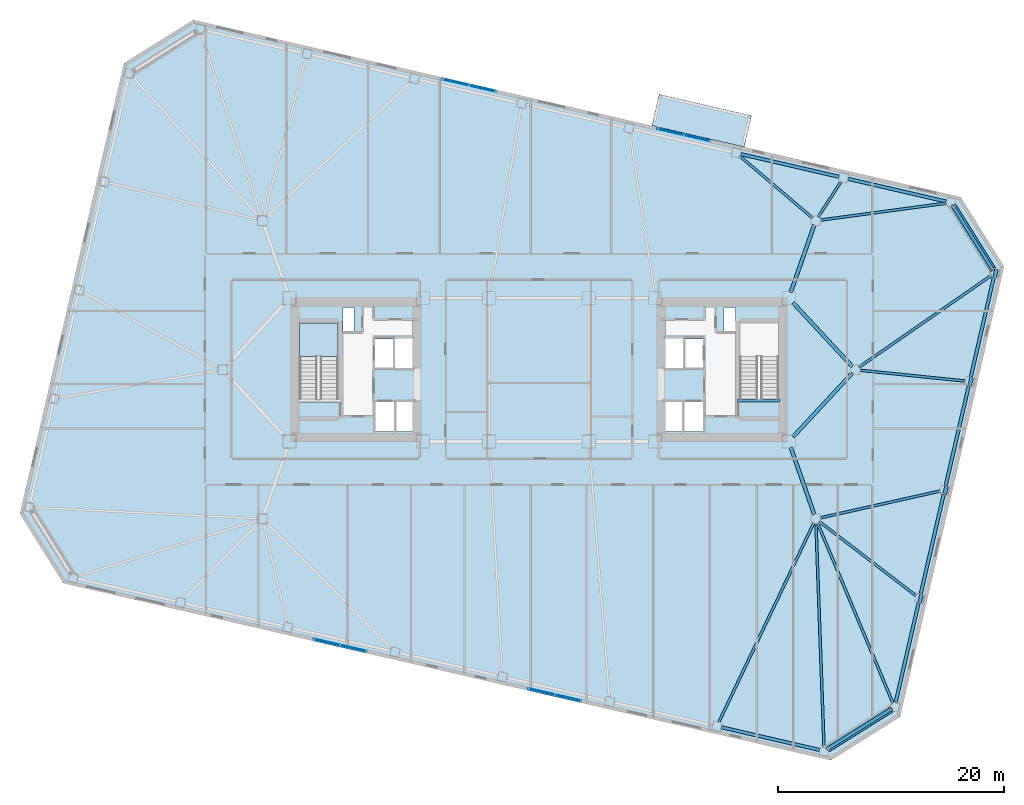
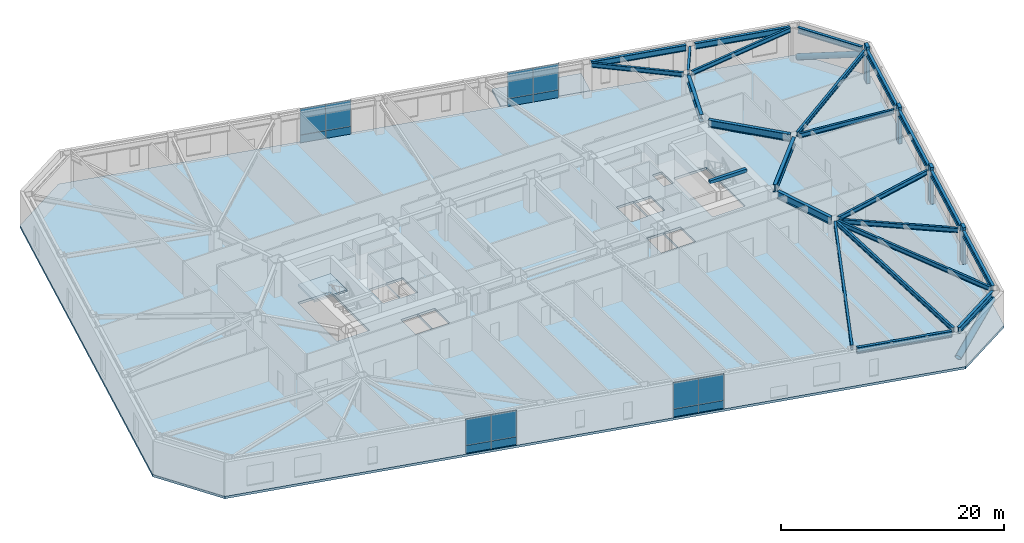
# One storey, part 8 of 19: 24 beams, 16 plates, 6 members, 3 slabs, 5 elements without a shape of their own.
"""IFC4 building model written with IfcOpenShell, lengths in metres."""

import ifcopenshell
import ifcopenshell.guid

model = None  # the IFC model being written
_history = None  # IfcOwnerHistory: only IFC2X3 demands one
_inside = {}  # id of a spatial element -> (the spatial element, [elements in it])
_under = {}  # id of a project, library or spatial element -> (it, [spatial elements below it])
_declared = {}  # id of a project -> (the project, [libraries it declares])
_typed = {}  # id of a type object -> (the type object, [elements of that type])
_made_of = {}  # id of a material, layer set ... -> (it, [elements and type objects made of it])


def new_model(schema):
    """Start an empty IFC model of exactly this schema.

    Asked for "IFC4X3", IfcOpenShell would pick the latest addendum, in which some entities
    have other attributes; the version numbers below select the first issue.
    IFC2X3 requires an IfcOwnerHistory on every rooted entity: one is made here for all.
    """
    global model, _history
    if schema == "IFC4X3":
        model = ifcopenshell.file(schema_version=(4, 3, 0, 0))
    else:
        model = ifcopenshell.file(schema=schema)
    _inside.clear()
    _under.clear()
    _declared.clear()
    _typed.clear()
    _made_of.clear()
    _history = None
    if model.schema == "IFC2X3":
        org = make("IfcOrganization", Name="unknown")
        user = make(
            "IfcPersonAndOrganization",
            ThePerson=make("IfcPerson", FamilyName="unknown"),
            TheOrganization=org,
        )
        app = make(
            "IfcApplication",
            ApplicationDeveloper=org,
            Version="unknown",
            ApplicationFullName="unknown",
            ApplicationIdentifier="unknown",
        )
        _history = make(
            "IfcOwnerHistory",
            OwningUser=user,
            OwningApplication=app,
            ChangeAction="ADDED",
            CreationDate=0,
        )
    return model


def make(cls, **values):
    """One entity of the class cls with the attributes given. An attribute that is None is left unset."""
    return model.create_entity(
        cls, **{name: value for name, value in values.items() if value is not None}
    )


def rooted(cls, **values):
    """An entity with a GlobalId (a new one), such as an element, a storey or a relation."""
    return make(cls, GlobalId=ifcopenshell.guid.new(), OwnerHistory=_history, **values)


def si_unit(unit_type, name, prefix=None):
    """IfcSIUnit, for example si_unit("LENGTHUNIT", "METRE", prefix="MILLI")."""
    return make("IfcSIUnit", UnitType=unit_type, Prefix=prefix, Name=name)


def assignment(units):
    """IfcUnitAssignment: the units of a project."""
    return None if units is None else make("IfcUnitAssignment", Units=units)


def point(xyz):
    """IfcCartesianPoint."""
    return None if xyz is None else make("IfcCartesianPoint", Coordinates=xyz)


def direction(xyz):
    """IfcDirection."""
    return None if xyz is None else make("IfcDirection", DirectionRatios=xyz)


def frame(location, z_axis=None, x_axis=None):
    """IfcAxis2Placement3D, a coordinate frame: its origin and axes. An axis left out is left unset."""
    return make(
        "IfcAxis2Placement3D",
        Location=point(location),
        Axis=direction(z_axis),
        RefDirection=direction(x_axis),
    )


def frame_2d(location, x_axis=None):
    """IfcAxis2Placement2D, a coordinate frame in the plane: its origin and x axis."""
    return make(
        "IfcAxis2Placement2D", Location=point(location), RefDirection=direction(x_axis)
    )


def origin():
    """The frame at (0, 0, 0) with its axes left unset."""
    return frame((0.0, 0.0, 0.0))


def origin_2d():
    """The frame at (0, 0) in the plane with its x axis left unset."""
    return frame_2d((0.0, 0.0))


def place(relative_to, where):
    """IfcLocalPlacement: puts the frame where relative to a parent placement (None: the world)."""
    return make(
        "IfcLocalPlacement", PlacementRelTo=relative_to, RelativePlacement=where
    )


def context(
    kind, dimensions, precision=None, world=None, true_north=None, identifier=None
):
    """IfcGeometricRepresentationContext, for example the 3D "Model" context."""
    return make(
        "IfcGeometricRepresentationContext",
        ContextIdentifier=identifier,
        ContextType=kind,
        CoordinateSpaceDimension=dimensions,
        Precision=precision,
        WorldCoordinateSystem=world,
        TrueNorth=true_north,
    )


def subcontext(parent, identifier, kind, view, scale=None):
    """IfcGeometricRepresentationSubContext, for example "Body" below "Model"."""
    return make(
        "IfcGeometricRepresentationSubContext",
        ContextIdentifier=identifier,
        ContextType=kind,
        ParentContext=parent,
        TargetScale=scale,
        TargetView=view,
    )


def project(units=None, contexts=None):
    """IfcProject with its units and contexts."""
    return rooted(
        "IfcProject",
        Name="project",
        RepresentationContexts=contexts,
        UnitsInContext=assignment(units),
    )


def spatial(cls, under=None, at=None, **own):
    """A site, building, storey or space (cls), placed at a placement, below another one or the project."""
    s = rooted(cls, ObjectPlacement=at, **own)
    if under is not None:
        _under.setdefault(under.id(), (under, []))[1].append(s)
    return s


def polyline(points):
    """IfcPolyline through the points."""
    return make("IfcPolyline", Points=[point(p) for p in points])


def profile(cls, at=None, kind="AREA", **sizes):
    """A parametric profile (cls). Its sizes go by their IFC names, for example OverallWidth=200.0."""
    return make(cls, ProfileType=kind, Position=at, **sizes)


def rectangle(**sizes):
    """IfcRectangleProfileDef."""
    return profile("IfcRectangleProfileDef", **sizes)


def hollow_circle(**sizes):
    """IfcCircleHollowProfileDef."""
    return profile("IfcCircleHollowProfileDef", **sizes)


def i_section(**sizes):
    """IfcIShapeProfileDef."""
    return profile("IfcIShapeProfileDef", **sizes)


def outline(outer, holes=None, kind="AREA"):
    """IfcArbitraryClosedProfileDef: a profile drawn as a closed curve; with holes, ...WithVoids."""
    if holes is None:
        return make("IfcArbitraryClosedProfileDef", ProfileType=kind, OuterCurve=outer)
    return make(
        "IfcArbitraryProfileDefWithVoids",
        ProfileType=kind,
        OuterCurve=outer,
        InnerCurves=holes,
    )


def extrude(swept, where, along, depth):
    """IfcExtrudedAreaSolid: the profile swept, set in the frame where, extruded along a direction by depth."""
    return make(
        "IfcExtrudedAreaSolid",
        SweptArea=swept,
        Position=where,
        ExtrudedDirection=direction(along),
        Depth=depth,
    )


def shape(context_of_items, identifier, shape_type, items):
    """IfcShapeRepresentation: the items that make up one representation, for example the "Body"."""
    return make(
        "IfcShapeRepresentation",
        ContextOfItems=context_of_items,
        RepresentationIdentifier=identifier,
        RepresentationType=shape_type,
        Items=items,
    )


def material(Name=None, Category=None):
    """IfcMaterial."""
    return make("IfcMaterial", Name=Name, Category=Category)


def layer(
    of_material, thickness, ventilated=None, Name=None, Category=None, Priority=None
):
    """IfcMaterialLayer: one layer of a wall or slab, of a material (None: an air gap)."""
    return make(
        "IfcMaterialLayer",
        Material=of_material,
        LayerThickness=thickness,
        IsVentilated=ventilated,
        Name=Name,
        Category=Category,
        Priority=Priority,
    )


def layer_set(layers, Name=None):
    """IfcMaterialLayerSet."""
    return make("IfcMaterialLayerSet", MaterialLayers=layers, LayerSetName=Name)


def material_profile(
    of_material, cross_section, Name=None, Category=None, Priority=None
):
    """IfcMaterialProfile: a cross section and its material."""
    return make(
        "IfcMaterialProfile",
        Name=Name,
        Material=of_material,
        Profile=cross_section,
        Priority=Priority,
        Category=Category,
    )


def profile_set(profiles, Name=None, composite=None):
    """IfcMaterialProfileSet."""
    return make(
        "IfcMaterialProfileSet",
        Name=Name,
        MaterialProfiles=profiles,
        CompositeProfile=composite,
    )


def made_of(thing, what):
    """Note that an element or type object is made of a material, layer set ...; save() writes the relation."""
    if what is not None:
        _made_of.setdefault(what.id(), (what, []))[1].append(thing)
    return thing


def type_object(cls, material=None, **own):
    """A type object (cls), such as IfcWallType, which elements share."""
    return made_of(rooted(cls, **own), material)


def element(
    cls,
    number,
    at=None,
    inside=None,
    cuts=None,
    type_object=None,
    material=None,
    context=None,
    identifier="Body",
    shape_type=None,
    held_by="IfcProductDefinitionShape",
    body=None,
    shapes=None,
    **own,
):
    """One element of the class cls, such as IfcWall. Its Tag is "e" and its number.

    at: its placement. inside: the storey or other place that contains it. cuts: it is an
    opening in that element (IfcRelVoidsElement). A single representation is given by context,
    identifier, shape_type and body (its items); several are given by shapes. held_by: the class
    of the entity that holds the representations. save() writes the other relations.
    """
    e = rooted(cls, Tag="e%d" % number, ObjectPlacement=at, **own)
    if body is not None:
        shapes = [shape(context, identifier, shape_type, body)]
    if shapes is not None:
        e.Representation = make(held_by, Representations=shapes)
    if inside is not None:
        _inside.setdefault(inside.id(), (inside, []))[1].append(e)
    if cuts is not None:
        rooted(
            "IfcRelVoidsElement", RelatingBuildingElement=cuts, RelatedOpeningElement=e
        )
    if type_object is not None:
        _typed.setdefault(type_object.id(), (type_object, []))[1].append(e)
    return made_of(e, material)


def aggregate(whole, parts):
    """IfcRelAggregates: a whole, such as a stair, and the parts it consists of."""
    return rooted("IfcRelAggregates", RelatingObject=whole, RelatedObjects=parts)


def save(model, path):
    """Write the relations noted so far, then the file.

    IfcRelAggregates (storeys below a building ...), IfcRelContainedInSpatialStructure (elements
    in a storey), IfcRelDefinesByType, IfcRelAssociatesMaterial and IfcRelDeclares: one each for
    every whole, place, type object, material and project.
    """
    for whole, parts in _under.values():
        aggregate(whole, parts)
    for where, things in _inside.values():
        rooted(
            "IfcRelContainedInSpatialStructure",
            RelatedElements=things,
            RelatingStructure=where,
        )
    for kind, things in _typed.values():
        rooted("IfcRelDefinesByType", RelatedObjects=things, RelatingType=kind)
    for what, things in _made_of.values():
        rooted("IfcRelAssociatesMaterial", RelatedObjects=things, RelatingMaterial=what)
    for by, libraries in _declared.values():
        rooted("IfcRelDeclares", RelatingContext=by, RelatedDefinitions=libraries)
    model.write(path)


model = new_model("IFC4")

# Units and contexts
model_context = context("Model", 3, precision=1e-05, world=origin(), true_north=direction((0.0, 1.0)))
body_context = subcontext(model_context, "Body", "Model", "MODEL_VIEW")
ifc_project = project(units=[si_unit("LENGTHUNIT", "METRE"), si_unit("AREAUNIT", "SQUARE_METRE"), si_unit("VOLUMEUNIT", "CUBIC_METRE"), si_unit("PLANEANGLEUNIT", "RADIAN"), si_unit("MASSUNIT", "GRAM", prefix="KILO")], contexts=[model_context])

# Site, building, storey
site_placement = place(None, origin())
site = spatial("IfcSite", under=ifc_project, at=site_placement, CompositionType="ELEMENT")
building_placement = place(site_placement, origin())
building = spatial("IfcBuilding", under=site, at=building_placement, Name="Tavrogorsk Clinical Tower", CompositionType="ELEMENT")
storey_placement = place(building_placement, frame((0.0, 0.0, 75.39990234375)))
storey = spatial("IfcBuildingStorey", under=building, at=storey_placement, Name="L16", CompositionType="ELEMENT", Elevation=75.39990234375)

# Members
ifc_material_1 = material(Name="Structural steel S440", Category="steel")
ifc_material_profile_1 = material_profile(ifc_material_1, hollow_circle(Radius=0.304931640625, WallThickness=0.02490234375, at=origin_2d()), Name="CHS-610x25")
ifc_profile_set_1 = profile_set([ifc_material_profile_1], Name="Structural steel S440")
member_type_1 = type_object("IfcMemberType", Name="ExoBrace_CHS610", PredefinedType="BRACE", material=ifc_profile_set_1)
for number, where, z_axis, x_axis, name in (
    (1, (25.56396484375, -33.553955078125, 0.442626953125), (0.794678685861, 0.496570017703, 0.349147538667), (-0.529919005048, 0.848048258113, 0.0), "L16 Corner Exoskeleton Brace S8-E1"),
    (2, (36.65380859375, 14.481689453125, 0.442626953125), (0.496596175948, -0.794664984625, 0.349141518935), (0.848031606927, 0.529945651603, 0.0), "L16 Corner Exoskeleton Brace E5-N1"),
):
    element("IfcMember", number, at=place(storey_placement, frame(where, z_axis=z_axis, x_axis=x_axis)), inside=storey, type_object=member_type_1, Name=name, PredefinedType="BRACE", context=body_context, shape_type="SweptSolid", body=[
        extrude(hollow_circle(Radius=0.304931640625, WallThickness=0.02490234375, at=origin_2d()), origin(), (0.0, 0.0, 1.0), 7.03173828125),
    ])

# Beams
ifc_material_2 = material(Name="Structural steel S355", Category="steel")
ifc_material_profile_2 = material_profile(ifc_material_2, i_section(OverallWidth=0.219970703125, OverallDepth=0.5, WebThickness=0.012939453125, FlangeThickness=0.02001953125, at=origin_2d()), Name="B-500x220x13x20")
ifc_profile_set_2 = profile_set([ifc_material_profile_2], Name="Structural steel S355")
beam_type_1 = type_object("IfcBeamType", Name="FloorBeam_B500", PredefinedType="BEAM", material=ifc_profile_set_2)
beam_1_placement = place(storey_placement, frame((24.323486328125, -13.570068359375, 3.489990234375), z_axis=(-0.430503237889, -0.90258903282, 0.0), x_axis=(0.90258903282, -0.430503237889, 0.0)))
element("IfcBeam", 3, at=beam_1_placement, inside=storey, type_object=beam_type_1, Name="L16 Radial Floor Beam S7", PredefinedType="BEAM", context=body_context, shape_type="SweptSolid", body=[
    extrude(i_section(OverallWidth=0.219970703125, OverallDepth=0.5, WebThickness=0.012939453125, FlangeThickness=0.02001953125, at=origin_2d()), origin(), (0.0, 0.0, 1.0), 19.527587890625),
])
beam_2_placement = place(storey_placement, frame((24.5146484375, -13.609619140625, 3.489990234375), z_axis=(0.035968399295, -0.999352927775, 0.0), x_axis=(0.999352927775, 0.035968399295, 0.0)))
element("IfcBeam", 4, at=beam_2_placement, inside=storey, type_object=beam_type_1, Name="L16 Radial Floor Beam S8", PredefinedType="BEAM", context=body_context, shape_type="SweptSolid", body=[
    extrude(i_section(OverallWidth=0.219970703125, OverallDepth=0.5, WebThickness=0.012939453125, FlangeThickness=0.02001953125, at=origin_2d()), origin(), (0.0, 0.0, 1.0), 19.751953125),
])
beam_3_placement = place(storey_placement, frame((24.90625, 13.254638671875, 3.489990234375), z_axis=(0.991091561022, 0.133182272357, 0.0), x_axis=(-0.133182272357, 0.991091561022, 0.0)))
element("IfcBeam", 5, at=beam_3_placement, inside=storey, type_object=beam_type_1, Name="L16 Radial Floor Beam N1", PredefinedType="BEAM", context=body_context, shape_type="SweptSolid", body=[
    extrude(i_section(OverallWidth=0.219970703125, OverallDepth=0.5, WebThickness=0.012939453125, FlangeThickness=0.02001953125, at=origin_2d()), origin(), (0.0, 0.0, 1.0), 11.24072265625),
])
beam_4_placement = place(storey_placement, frame((24.722412109375, 13.54443359375, 3.489990234375), z_axis=(0.54237908978, 0.840133872052, 0.0), x_axis=(-0.840133872052, 0.54237908978, 0.0)))
element("IfcBeam", 6, at=beam_4_placement, inside=storey, type_object=beam_type_1, Name="L16 Radial Floor Beam N2", PredefinedType="BEAM", context=body_context, shape_type="SweptSolid", body=[
    extrude(i_section(OverallWidth=0.219970703125, OverallDepth=0.5, WebThickness=0.012939453125, FlangeThickness=0.02001953125, at=origin_2d()), origin(), (0.0, 0.0, 1.0), 3.70361328125),
])
beam_5_placement = place(storey_placement, frame((24.187744140625, 13.465576171875, 3.489990234375), z_axis=(-0.761805700094, 0.647805584496, 0.0), x_axis=(-0.647805584496, -0.761805700094, 0.0)))
element("IfcBeam", 7, at=beam_5_placement, inside=storey, type_object=beam_type_1, Name="L16 Radial Floor Beam N3", PredefinedType="BEAM", context=body_context, shape_type="SweptSolid", body=[
    extrude(i_section(OverallWidth=0.219970703125, OverallDepth=0.5, WebThickness=0.012939453125, FlangeThickness=0.02001953125, at=origin_2d()), origin(), (0.0, 0.0, 1.0), 8.431396484375),
])
beam_6_placement = place(storey_placement, frame((24.658447265625, -13.578125, 3.489990234375), z_axis=(0.386243430459, -0.922396884441, 0.0), x_axis=(0.922396884441, 0.386243430459, 0.0)))
element("IfcBeam", 8, at=beam_6_placement, inside=storey, type_object=beam_type_1, Name="L16 Radial Floor Beam E1", PredefinedType="BEAM", context=body_context, shape_type="SweptSolid", body=[
    extrude(i_section(OverallWidth=0.219970703125, OverallDepth=0.5, WebThickness=0.012939453125, FlangeThickness=0.02001953125, at=origin_2d()), origin(), (0.0, 0.0, 1.0), 17.243408203125),
])
beam_7_placement = place(storey_placement, frame((24.825439453125, -13.449462890625, 3.489990234375), z_axis=(0.7934457884, -0.608640929342, 0.0), x_axis=(0.608640929342, 0.7934457884, 0.0)))
element("IfcBeam", 9, at=beam_7_placement, inside=storey, type_object=beam_type_1, Name="L16 Radial Floor Beam E2", PredefinedType="BEAM", context=body_context, shape_type="SweptSolid", body=[
    extrude(i_section(OverallWidth=0.219970703125, OverallDepth=0.5, WebThickness=0.012939453125, FlangeThickness=0.02001953125, at=origin_2d()), origin(), (0.0, 0.0, 1.0), 10.769287109375),
])
beam_8_placement = place(storey_placement, frame((24.900146484375, -13.1103515625, 3.489990234375), z_axis=(0.975844140255, 0.218467878484, 0.0), x_axis=(-0.218467878484, 0.975844140255, 0.0)))
element("IfcBeam", 10, at=beam_8_placement, inside=storey, type_object=beam_type_1, Name="L16 Radial Floor Beam E3", PredefinedType="BEAM", context=body_context, shape_type="SweptSolid", body=[
    extrude(i_section(OverallWidth=0.219970703125, OverallDepth=0.5, WebThickness=0.012939453125, FlangeThickness=0.02001953125, at=origin_2d()), origin(), (0.0, 0.0, 1.0), 10.876708984375),
])
beam_9_placement = place(storey_placement, frame((28.407958984375, -0.041748046875, 3.489990234375), z_axis=(0.994791610226, -0.101929643501, 0.0), x_axis=(0.101929643501, 0.994791610226, 0.0)))
element("IfcBeam", 11, at=beam_9_placement, inside=storey, type_object=beam_type_1, Name="L16 Radial Floor Beam E4", PredefinedType="BEAM", context=body_context, shape_type="SweptSolid", body=[
    extrude(i_section(OverallWidth=0.219970703125, OverallDepth=0.5, WebThickness=0.012939453125, FlangeThickness=0.02001953125, at=origin_2d()), origin(), (0.0, 0.0, 1.0), 9.365234375),
])
beam_10_placement = place(storey_placement, frame((28.3369140625, 0.233642578125, 3.489990234375), z_axis=(0.82154295725, 0.570146620961, 0.0), x_axis=(-0.570146620961, 0.82154295725, 0.0)))
element("IfcBeam", 12, at=beam_10_placement, inside=storey, type_object=beam_type_1, Name="L16 Radial Floor Beam E5", PredefinedType="BEAM", context=body_context, shape_type="SweptSolid", body=[
    extrude(i_section(OverallWidth=0.219970703125, OverallDepth=0.5, WebThickness=0.012939453125, FlangeThickness=0.02001953125, at=origin_2d()), origin(), (0.0, 0.0, 1.0), 14.212646484375),
])

# Members
ifc_material_3 = material(Name="Precast concrete B45 with limestone cladding", Category="masonry")
ifc_material_profile_3 = material_profile(ifc_material_3, rectangle(XDim=0.320068359375, YDim=0.719970703125, at=origin_2d()), Name="LIMESTONE-FIN-320x720")
ifc_profile_set_3 = profile_set([ifc_material_profile_3], Name="Precast concrete B45 with limestone cladding")
member_type_2 = type_object("IfcMemberType", Name="LimestonePleatFin_320x720", PredefinedType="USERDEFINED", material=ifc_profile_set_3)
for number, where, z_axis, x_axis, name in (
    (13, (33.772216796875, -20.2705078125, 0.0), (0.0, 0.0, 1.0), (0.974370064785, -0.224951054344, 0.0), "L16 E Pleated Stone Fin 1"),
    (14, (35.990234375, -10.6630859375, 0.0), (0.0, 0.0, 1.0), (0.974370064785, -0.224951054344, 0.0), "L16 E Pleated Stone Fin 2"),
    (15, (38.208251953125, -1.055908203125, 0.0), (0.0, 0.0, 1.0), (0.974370064785, -0.224951054344, 0.0), "L16 E Pleated Stone Fin 3"),
    (16, (40.42626953125, 8.551513671875, 0.0), (0.0, 0.0, 1.0), (0.974370064785, -0.224951054344, 0.0), "L16 E Pleated Stone Fin 4"),
):
    element("IfcMember", number, at=place(storey_placement, frame(where, z_axis=z_axis, x_axis=x_axis)), inside=storey, type_object=member_type_2, Name=name, ObjectType="FIN", PredefinedType="USERDEFINED", context=body_context, shape_type="SweptSolid", body=[
        extrude(rectangle(XDim=0.320068359375, YDim=0.719970703125, at=origin_2d()), origin(), (0.0, 0.0, 1.0), 4.0),
    ])

# Beams
ifc_material_4 = material(Name="Structural steel S390", Category="steel")
ifc_material_profile_4 = material_profile(ifc_material_4, i_section(OverallWidth=0.320068359375, OverallDepth=0.800048828125, WebThickness=0.02001953125, FlangeThickness=0.033935546875, at=origin_2d()), Name="B-800x320x20x34")
ifc_profile_set_4 = profile_set([ifc_material_profile_4], Name="Structural steel S390")
beam_type_2 = type_object("IfcBeamType", Name="PrimaryGirder_B800", PredefinedType="USERDEFINED", material=ifc_profile_set_4)
for number, where, z_axis, x_axis, name in (
    (17, (24.364501953125, -12.81298828125, 3.340087890625), (-0.330668611543, 0.943746930771, 0.0), (-0.943746930771, -0.330668611543, 0.0), "L16 Spine Link Girder OPG-2"),
    (18, (24.364501953125, 12.81298828125, 3.340087890625), (-0.330668611543, -0.943746930771, 0.0), (0.943746930771, -0.330668611543, 0.0), "L16 Spine Link Girder OPG-4"),
):
    element("IfcBeam", number, at=place(storey_placement, frame(where, z_axis=z_axis, x_axis=x_axis)), inside=storey, type_object=beam_type_2, Name=name, ObjectType="GIRDER", PredefinedType="USERDEFINED", context=body_context, shape_type="SweptSolid", body=[
        extrude(i_section(OverallWidth=0.320068359375, OverallDepth=0.800048828125, WebThickness=0.02001953125, FlangeThickness=0.033935546875, at=origin_2d()), origin(), (0.0, 0.0, 1.0), 6.288330078125),
    ])
for number, where, z_axis, x_axis, name in (
    (19, (27.720947265625, -0.30029296875, 3.340087890625), (-0.680671250221, -0.732589004233, 0.0), (0.732589004233, -0.680671250221, 0.0), "L16 Spine Link Girder OPG-7"),
    (20, (27.720947265625, 0.30029296875, 3.340087890625), (-0.680671250221, 0.732589004233, 0.0), (-0.732589004233, -0.680671250221, 0.0), "L16 Spine Link Girder OPG-8"),
):
    element("IfcBeam", number, at=place(storey_placement, frame(where, z_axis=z_axis, x_axis=x_axis)), inside=storey, type_object=beam_type_2, Name=name, ObjectType="GIRDER", PredefinedType="USERDEFINED", context=body_context, shape_type="SweptSolid", body=[
        extrude(i_section(OverallWidth=0.320068359375, OverallDepth=0.800048828125, WebThickness=0.02001953125, FlangeThickness=0.033935546875, at=origin_2d()), origin(), (0.0, 0.0, 1.0), 7.697998046875),
    ])
ifc_material_5 = material(Name="Structural steel S390", Category="steel")
ifc_material_profile_5 = material_profile(ifc_material_5, i_section(OverallWidth=0.280029296875, OverallDepth=0.64990234375, WebThickness=0.01611328125, FlangeThickness=0.02490234375, at=origin_2d()), Name="B-650x280x16x25")
ifc_profile_set_5 = profile_set([ifc_material_profile_5], Name="Structural steel S390")
beam_type_3 = type_object("IfcBeamType", Name="SpandrelBeam_B650", PredefinedType="SPANDREL", material=ifc_profile_set_5)
beam_11_placement = place(storey_placement, frame((16.138427734375, -31.655517578125, 3.4150390625), z_axis=(0.974372766602, -0.224939351168, 0.0), x_axis=(0.224939351168, 0.974372766602, 0.0)))
element("IfcBeam", 21, at=beam_11_placement, inside=storey, type_object=beam_type_3, Name="L16 Perimeter Spandrel S7-S8", PredefinedType="SPANDREL", context=body_context, shape_type="SweptSolid", body=[
    extrude(i_section(OverallWidth=0.280029296875, OverallDepth=0.64990234375, WebThickness=0.01611328125, FlangeThickness=0.02490234375, at=origin_2d()), origin(), (0.0, 0.0, 1.0), 8.9326171875),
])
beam_12_placement = place(storey_placement, frame((25.585693359375, -33.540283203125, 3.4150390625), z_axis=(0.848061235793, 0.529898235839, 0.0), x_axis=(-0.529898235839, 0.848061235793, 0.0)))
element("IfcBeam", 22, at=beam_12_placement, inside=storey, type_object=beam_type_3, Name="L16 Perimeter Spandrel S8-E1", PredefinedType="SPANDREL", context=body_context, shape_type="SweptSolid", body=[
    extrude(i_section(OverallWidth=0.280029296875, OverallDepth=0.64990234375, WebThickness=0.01611328125, FlangeThickness=0.02490234375, at=origin_2d()), origin(), (0.0, 0.0, 1.0), 6.537841796875),
])
beam_13_placement = place(storey_placement, frame((31.56787109375, -29.462158203125, 3.4150390625), z_axis=(0.224971881043, 0.974365256328, 0.0), x_axis=(-0.974365256328, 0.224971881043, 0.0)))
element("IfcBeam", 23, at=beam_13_placement, inside=storey, type_object=beam_type_3, Name="L16 Perimeter Spandrel E1-E2", PredefinedType="SPANDREL", context=body_context, shape_type="SweptSolid", body=[
    extrude(i_section(OverallWidth=0.280029296875, OverallDepth=0.64990234375, WebThickness=0.01611328125, FlangeThickness=0.02490234375, at=origin_2d()), origin(), (0.0, 0.0, 1.0), 9.044189453125),
])
for number, where, z_axis, x_axis, name in (
    (24, (33.785888671875, -19.85498046875, 3.4150390625), (0.224946252597, 0.974371173343, 0.0), (-0.974371173343, 0.224946252597, 0.0), "L16 Perimeter Spandrel E2-E3"),
    (25, (36.00390625, -10.24755859375, 3.4150390625), (0.224946252597, 0.974371173343, 0.0), (-0.974371173343, 0.224946252597, 0.0), "L16 Perimeter Spandrel E3-E4"),
):
    element("IfcBeam", number, at=place(storey_placement, frame(where, z_axis=z_axis, x_axis=x_axis)), inside=storey, type_object=beam_type_3, Name=name, PredefinedType="SPANDREL", context=body_context, shape_type="SweptSolid", body=[
        extrude(i_section(OverallWidth=0.280029296875, OverallDepth=0.64990234375, WebThickness=0.01611328125, FlangeThickness=0.02490234375, at=origin_2d()), origin(), (0.0, 0.0, 1.0), 9.0439453125),
    ])
beam_14_placement = place(storey_placement, frame((38.221923828125, -0.640380859375, 3.4150390625), z_axis=(0.224971881043, 0.974365256328, 0.0), x_axis=(-0.974365256328, 0.224971881043, 0.0)))
element("IfcBeam", 26, at=beam_14_placement, inside=storey, type_object=beam_type_3, Name="L16 Perimeter Spandrel E4-E5", PredefinedType="SPANDREL", context=body_context, shape_type="SweptSolid", body=[
    extrude(i_section(OverallWidth=0.280029296875, OverallDepth=0.64990234375, WebThickness=0.01611328125, FlangeThickness=0.02490234375, at=origin_2d()), origin(), (0.0, 0.0, 1.0), 9.044189453125),
])
beam_15_placement = place(storey_placement, frame((40.132080078125, 8.91552734375, 3.4150390625), z_axis=(-0.529925092475, 0.848044454239, 0.0), x_axis=(-0.848044454239, -0.529925092475, 0.0)))
element("IfcBeam", 27, at=beam_15_placement, inside=storey, type_object=beam_type_3, Name="L16 Perimeter Spandrel E5-N1", PredefinedType="SPANDREL", context=body_context, shape_type="SweptSolid", body=[
    extrude(i_section(OverallWidth=0.280029296875, OverallDepth=0.64990234375, WebThickness=0.01611328125, FlangeThickness=0.02490234375, at=origin_2d()), origin(), (0.0, 0.0, 1.0), 6.537841796875),
])
for number, where, z_axis, x_axis, name in (
    (28, (36.0537109375, 14.897705078125, 3.4150390625), (-0.974366775889, 0.224965299645, 0.0), (-0.224965299645, -0.974366775889, 0.0), "L16 Perimeter Spandrel N1-N2"),
    (29, (26.554931640625, 17.090576171875, 3.4150390625), (-0.974366775889, 0.224965299645, 0.0), (-0.224965299645, -0.974366775889, 0.0), "L16 Perimeter Spandrel N2-N3"),
):
    element("IfcBeam", number, at=place(storey_placement, frame(where, z_axis=z_axis, x_axis=x_axis)), inside=storey, type_object=beam_type_3, Name=name, PredefinedType="SPANDREL", context=body_context, shape_type="SweptSolid", body=[
        extrude(i_section(OverallWidth=0.280029296875, OverallDepth=0.64990234375, WebThickness=0.01611328125, FlangeThickness=0.02490234375, at=origin_2d()), origin(), (0.0, 0.0, 1.0), 8.9326171875),
    ])
ifc_material_6 = material(Name="Concrete B60", Category="concrete")
ifc_material_profile_6 = material_profile(ifc_material_6, rectangle(XDim=0.300048828125, YDim=0.35009765625, at=origin_2d()), Name="RC-SHB-300x350")
ifc_profile_set_6 = profile_set([ifc_material_profile_6], Name="Concrete B60")
beam_type_4 = type_object("IfcBeamType", Name="StairHeaderBeam_RC300x350", PredefinedType="BEAM", material=ifc_profile_set_6)
beam_16_placement = place(storey_placement, frame((17.550048828125, -2.719970703125, 3.8251953125), z_axis=(1.0, 0.0, 0.0), x_axis=(0.0, 1.0, 0.0)))
element("IfcBeam", 30, at=beam_16_placement, inside=storey, type_object=beam_type_4, Name="L17 ST-E Landing Header Beam", PredefinedType="BEAM", context=body_context, shape_type="SweptSolid", body=[
    extrude(rectangle(XDim=0.300048828125, YDim=0.35009765625, at=origin_2d()), origin(), (0.0, 0.0, 1.0), 3.800048828125),
])

# Curtain wall, plates
ifc_material_7 = material(Name="Anodised aluminium and triple IGU glazing", Category="aluminium")
ifc_layer_1 = layer(ifc_material_7, 0.179931640625)
ifc_layer_set_1 = layer_set([ifc_layer_1], Name="Anodised aluminium and triple IGU glazing")
curtain_wall_type_1 = type_object("IfcCurtainWallType", Name="CW3_SouthSlot", PredefinedType="NOTDEFINED", material=ifc_layer_set_1)
curtain_wall_1_placement = place(storey_placement, origin())
curtain_wall_1 = element("IfcCurtainWall", 31, at=curtain_wall_1_placement, inside=storey, type_object=curtain_wall_type_1, Name="L16 Curtain Wall CW-L16-S-SLOT-1", PredefinedType="NOTDEFINED")
ifc_material_8 = material(Name="Honed Podolsk limestone spandrel panel", Category="masonry")
ifc_layer_2 = layer(ifc_material_8, 0.080078125)
ifc_layer_set_2 = layer_set([ifc_layer_2], Name="Honed Podolsk limestone spandrel panel")
plate_type_1 = type_object("IfcPlateType", Name="CwSpandrelStonePanel_80", PredefinedType="CURTAIN_PANEL", material=ifc_layer_set_2)
plate_1_placement = place(storey_placement, frame((-18.79638671875, -24.113525390625, 0.002197265625), z_axis=(0.0, 0.0, 1.0), x_axis=(0.974370046851, -0.224951132027, 0.0)))
plate_1 = element("IfcPlate", 32, at=plate_1_placement, type_object=plate_type_1, Name="CW-L16-S-SLOT-1 Stone Spandrel Panel 1", PredefinedType="CURTAIN_PANEL", context=body_context, shape_type="SweptSolid", body=[
    extrude(rectangle(XDim=2.39208984375, YDim=0.080078125, at=origin_2d()), origin(), (0.0, 0.0, 1.0), 0.8359375),
])
plate_2_placement = place(storey_placement, frame((-16.442138671875, -24.656982421875, 0.002197265625), z_axis=(0.0, 0.0, 1.0), x_axis=(0.974370046851, -0.224951132027, 0.0)))
plate_2 = element("IfcPlate", 33, at=plate_2_placement, type_object=plate_type_1, Name="CW-L16-S-SLOT-1 Stone Spandrel Panel 2", PredefinedType="CURTAIN_PANEL", context=body_context, shape_type="SweptSolid", body=[
    extrude(rectangle(XDim=2.39208984375, YDim=0.080078125, at=origin_2d()), origin(), (0.0, 0.0, 1.0), 0.8359375),
])

curtain_wall_2_placement = place(storey_placement, origin())
curtain_wall_2 = element("IfcCurtainWall", 34, at=curtain_wall_2_placement, inside=storey, type_object=curtain_wall_type_1, Name="L16 Curtain Wall CW-L16-S-SLOT-2", PredefinedType="NOTDEFINED")
plate_3_placement = place(storey_placement, frame((0.201171875, -28.49951171875, 0.002197265625), z_axis=(0.0, 0.0, 1.0), x_axis=(0.974370102963, -0.224950888978, 0.0)))
plate_3 = element("IfcPlate", 35, at=plate_3_placement, type_object=plate_type_1, Name="CW-L16-S-SLOT-2 Stone Spandrel Panel 1", PredefinedType="CURTAIN_PANEL", context=body_context, shape_type="SweptSolid", body=[
    extrude(rectangle(XDim=2.39208984375, YDim=0.080078125, at=origin_2d()), origin(), (0.0, 0.0, 1.0), 0.8359375),
])
plate_4_placement = place(storey_placement, frame((2.55517578125, -29.04296875, 0.002197265625), z_axis=(0.0, 0.0, 1.0), x_axis=(0.974370102963, -0.224950888978, 0.0)))
plate_4 = element("IfcPlate", 36, at=plate_4_placement, type_object=plate_type_1, Name="CW-L16-S-SLOT-2 Stone Spandrel Panel 2", PredefinedType="CURTAIN_PANEL", context=body_context, shape_type="SweptSolid", body=[
    extrude(rectangle(XDim=2.39208984375, YDim=0.080078125, at=origin_2d()), origin(), (0.0, 0.0, 1.0), 0.8359375),
])

ifc_material_9 = material(Name="Anodised aluminium and triple IGU glazing", Category="aluminium")
ifc_layer_3 = layer(ifc_material_9, 0.179931640625)
ifc_layer_set_3 = layer_set([ifc_layer_3], Name="Anodised aluminium and triple IGU glazing")
curtain_wall_type_2 = type_object("IfcCurtainWallType", Name="CW2_NorthSlot", PredefinedType="NOTDEFINED", material=ifc_layer_set_3)
curtain_wall_3_placement = place(storey_placement, origin())
curtain_wall_3 = element("IfcCurtainWall", 37, at=curtain_wall_3_placement, inside=storey, type_object=curtain_wall_type_2, Name="L16 Curtain Wall CW-L16-N-SLOT-1", PredefinedType="NOTDEFINED")
plate_5_placement = place(storey_placement, frame((-5.001220703125, 24.8994140625, 0.002197265625), z_axis=(0.0, 0.0, 1.0), x_axis=(-0.974370102963, 0.224950888978, 0.0)))
plate_5 = element("IfcPlate", 38, at=plate_5_placement, type_object=plate_type_1, Name="CW-L16-N-SLOT-1 Stone Spandrel Panel 1", PredefinedType="CURTAIN_PANEL", context=body_context, shape_type="SweptSolid", body=[
    extrude(rectangle(XDim=2.39208984375, YDim=0.080078125, at=origin_2d()), origin(), (0.0, 0.0, 1.0), 0.8359375),
])
plate_6_placement = place(storey_placement, frame((-7.355224609375, 25.44287109375, 0.002197265625), z_axis=(0.0, 0.0, 1.0), x_axis=(-0.974370102963, 0.224950888978, 0.0)))
plate_6 = element("IfcPlate", 39, at=plate_6_placement, type_object=plate_type_1, Name="CW-L16-N-SLOT-1 Stone Spandrel Panel 2", PredefinedType="CURTAIN_PANEL", context=body_context, shape_type="SweptSolid", body=[
    extrude(rectangle(XDim=2.39208984375, YDim=0.080078125, at=origin_2d()), origin(), (0.0, 0.0, 1.0), 0.8359375),
])

curtain_wall_4_placement = place(storey_placement, origin())
curtain_wall_4 = element("IfcCurtainWall", 40, at=curtain_wall_4_placement, inside=storey, type_object=curtain_wall_type_2, Name="L16 Curtain Wall CW-L16-N-SLOT-2", PredefinedType="NOTDEFINED")
plate_7_placement = place(storey_placement, frame((13.996337890625, 20.513427734375, 0.002197265625), z_axis=(0.0, 0.0, 1.0), x_axis=(-0.974370046851, 0.224951132027, 0.0)))
plate_7 = element("IfcPlate", 41, at=plate_7_placement, type_object=plate_type_1, Name="CW-L16-N-SLOT-2 Stone Spandrel Panel 1", PredefinedType="CURTAIN_PANEL", context=body_context, shape_type="SweptSolid", body=[
    extrude(rectangle(XDim=2.39208984375, YDim=0.080078125, at=origin_2d()), origin(), (0.0, 0.0, 1.0), 0.8359375),
])
plate_8_placement = place(storey_placement, frame((11.642333984375, 21.05712890625, 0.002197265625), z_axis=(0.0, 0.0, 1.0), x_axis=(-0.974370046851, 0.224951132027, 0.0)))
plate_8 = element("IfcPlate", 42, at=plate_8_placement, type_object=plate_type_1, Name="CW-L16-N-SLOT-2 Stone Spandrel Panel 2", PredefinedType="CURTAIN_PANEL", context=body_context, shape_type="SweptSolid", body=[
    extrude(rectangle(XDim=2.39208984375, YDim=0.080078125, at=origin_2d()), origin(), (0.0, 0.0, 1.0), 0.8359375),
])

# Plate
ifc_material_10 = material(Name="Triple low-E argon insulated glass", Category="glass")
ifc_layer_4 = layer(ifc_material_10, 0.048095703125)
ifc_layer_set_4 = layer_set([ifc_layer_4], Name="Triple low-E argon insulated glass")
plate_type_2 = type_object("IfcPlateType", Name="CwVisionGlassPanel_48", PredefinedType="CURTAIN_PANEL", material=ifc_layer_set_4)
plate_9_placement = place(storey_placement, frame((-18.79638671875, -24.113525390625, 0.862060546875), z_axis=(0.0, 0.0, 1.0), x_axis=(0.974370046851, -0.224951132027, 0.0)))
plate_9 = element("IfcPlate", 43, at=plate_9_placement, type_object=plate_type_2, Name="CW-L16-S-SLOT-1 Glazing Panel 1", PredefinedType="CURTAIN_PANEL", context=body_context, shape_type="SweptSolid", body=[
    extrude(rectangle(XDim=2.39208984375, YDim=0.048095703125, at=origin_2d()), origin(), (0.0, 0.0, 1.0), 2.8759765625),
])

plate_10_placement = place(storey_placement, frame((-16.442138671875, -24.656982421875, 0.862060546875), z_axis=(0.0, 0.0, 1.0), x_axis=(0.974370046851, -0.224951132027, 0.0)))
plate_10 = element("IfcPlate", 44, at=plate_10_placement, type_object=plate_type_2, Name="CW-L16-S-SLOT-1 Glazing Panel 2", PredefinedType="CURTAIN_PANEL", context=body_context, shape_type="SweptSolid", body=[
    extrude(rectangle(XDim=2.39208984375, YDim=0.048095703125, at=origin_2d()), origin(), (0.0, 0.0, 1.0), 2.8759765625),
])

aggregate(curtain_wall_1, [plate_1, plate_9, plate_2, plate_10])

plate_11_placement = place(storey_placement, frame((0.201171875, -28.49951171875, 0.862060546875), z_axis=(0.0, 0.0, 1.0), x_axis=(0.974370102963, -0.224950888978, 0.0)))
plate_11 = element("IfcPlate", 45, at=plate_11_placement, type_object=plate_type_2, Name="CW-L16-S-SLOT-2 Glazing Panel 1", PredefinedType="CURTAIN_PANEL", context=body_context, shape_type="SweptSolid", body=[
    extrude(rectangle(XDim=2.39208984375, YDim=0.048095703125, at=origin_2d()), origin(), (0.0, 0.0, 1.0), 2.8759765625),
])

plate_12_placement = place(storey_placement, frame((2.55517578125, -29.04296875, 0.862060546875), z_axis=(0.0, 0.0, 1.0), x_axis=(0.974370102963, -0.224950888978, 0.0)))
plate_12 = element("IfcPlate", 46, at=plate_12_placement, type_object=plate_type_2, Name="CW-L16-S-SLOT-2 Glazing Panel 2", PredefinedType="CURTAIN_PANEL", context=body_context, shape_type="SweptSolid", body=[
    extrude(rectangle(XDim=2.39208984375, YDim=0.048095703125, at=origin_2d()), origin(), (0.0, 0.0, 1.0), 2.8759765625),
])

aggregate(curtain_wall_2, [plate_3, plate_11, plate_4, plate_12])

plate_13_placement = place(storey_placement, frame((-5.001220703125, 24.8994140625, 0.862060546875), z_axis=(0.0, 0.0, 1.0), x_axis=(-0.974370102963, 0.224950888978, 0.0)))
plate_13 = element("IfcPlate", 47, at=plate_13_placement, type_object=plate_type_2, Name="CW-L16-N-SLOT-1 Glazing Panel 1", PredefinedType="CURTAIN_PANEL", context=body_context, shape_type="SweptSolid", body=[
    extrude(rectangle(XDim=2.39208984375, YDim=0.048095703125, at=origin_2d()), origin(), (0.0, 0.0, 1.0), 2.8759765625),
])

plate_14_placement = place(storey_placement, frame((-7.355224609375, 25.44287109375, 0.862060546875), z_axis=(0.0, 0.0, 1.0), x_axis=(-0.974370102963, 0.224950888978, 0.0)))
plate_14 = element("IfcPlate", 48, at=plate_14_placement, type_object=plate_type_2, Name="CW-L16-N-SLOT-1 Glazing Panel 2", PredefinedType="CURTAIN_PANEL", context=body_context, shape_type="SweptSolid", body=[
    extrude(rectangle(XDim=2.39208984375, YDim=0.048095703125, at=origin_2d()), origin(), (0.0, 0.0, 1.0), 2.8759765625),
])

aggregate(curtain_wall_3, [plate_5, plate_13, plate_6, plate_14])

plate_15_placement = place(storey_placement, frame((13.996337890625, 20.513427734375, 0.862060546875), z_axis=(0.0, 0.0, 1.0), x_axis=(-0.974370046851, 0.224951132027, 0.0)))
plate_15 = element("IfcPlate", 49, at=plate_15_placement, type_object=plate_type_2, Name="CW-L16-N-SLOT-2 Glazing Panel 1", PredefinedType="CURTAIN_PANEL", context=body_context, shape_type="SweptSolid", body=[
    extrude(rectangle(XDim=2.39208984375, YDim=0.048095703125, at=origin_2d()), origin(), (0.0, 0.0, 1.0), 2.8759765625),
])

plate_16_placement = place(storey_placement, frame((11.642333984375, 21.05712890625, 0.862060546875), z_axis=(0.0, 0.0, 1.0), x_axis=(-0.974370046851, 0.224951132027, 0.0)))
plate_16 = element("IfcPlate", 50, at=plate_16_placement, type_object=plate_type_2, Name="CW-L16-N-SLOT-2 Glazing Panel 2", PredefinedType="CURTAIN_PANEL", context=body_context, shape_type="SweptSolid", body=[
    extrude(rectangle(XDim=2.39208984375, YDim=0.048095703125, at=origin_2d()), origin(), (0.0, 0.0, 1.0), 2.8759765625),
])

aggregate(curtain_wall_4, [plate_7, plate_15, plate_8, plate_16])

# Slab
ifc_material_11 = material(Name="Concrete B60", Category="concrete")
ifc_layer_5 = layer(ifc_material_11, 0.239990234375)
ifc_layer_set_5 = layer_set([ifc_layer_5], Name="Concrete B60")
slab_type_1 = type_object("IfcSlabType", Name="DayroomSlab_240", PredefinedType="FLOOR", material=ifc_layer_set_5)
slab_1_placement = place(storey_placement, frame((0.0, 0.0, -0.239990234375)))
element("IfcSlab", 51, at=slab_1_placement, inside=storey, type_object=slab_type_1, Name="L16 Day-Room Box Roof DRB-02", PredefinedType="ROOF", context=body_context, shape_type="SweptSolid", body=[
    extrude(outline(polyline([(10.62548828125, 24.39111328125), (18.810302734375, 22.501708984375), (18.169189453125, 19.724609375), (9.984619140625, 21.6142578125), (10.62548828125, 24.39111328125)])), origin(), (0.0, 0.0, 1.0), 0.239990234375),
])

# Stair, slab
ifc_material_12 = material(Name="Concrete B60", Category="concrete")
stair_type = type_object("IfcStairType", Name="CoreStairAssembly", PredefinedType="HALF_TURN_STAIR", material=ifc_material_12)
stair_placement = place(storey_placement, origin())
stair = element("IfcStair", 52, at=stair_placement, inside=storey, type_object=stair_type, Name="L16 ST-W", PredefinedType="HALF_TURN_STAIR")
ifc_material_13 = material(Name="Concrete B60", Category="concrete")
ifc_layer_6 = layer(ifc_material_13, 0.199951171875)
ifc_layer_set_6 = layer_set([ifc_layer_6], Name="Concrete B60")
slab_type_2 = type_object("IfcSlabType", Name="StairLanding_200", PredefinedType="LANDING", material=ifc_layer_set_6)
slab_2_placement = place(storey_placement, frame((0.0, 0.0, 1.800048828125)))
slab_2 = element("IfcSlab", 53, at=slab_2_placement, type_object=slab_type_2, Name="ST-W landing 1", PredefinedType="LANDING", context=body_context, shape_type="SweptSolid", body=[
    extrude(outline(polyline([(-17.800048828125, 1.1650390625), (-17.800048828125, 4.125), (-21.199951171875, 4.125), (-21.199951171875, 1.1650390625), (-17.800048828125, 1.1650390625)])), origin(), (0.0, 0.0, 1.0), 0.199951171875),
])
aggregate(stair, [slab_2])

# Slab
ifc_material_14 = material(Name="Concrete B60", Category="concrete")
ifc_layer_7 = layer(ifc_material_14, 0.260009765625)
ifc_layer_set_7 = layer_set([ifc_layer_7], Name="Concrete B60")
slab_type_3 = type_object("IfcSlabType", Name="WardSlab_260", PredefinedType="FLOOR", material=ifc_layer_set_7)
slab_3_placement = place(storey_placement, frame((0.0, 0.0, -0.260009765625)))
element("IfcSlab", 54, at=slab_3_placement, inside=storey, type_object=slab_type_3, Name="L16 Structural Slab", PredefinedType="FLOOR", context=body_context, shape_type="SweptSolid", body=[
    extrude(outline(polyline([(-42.06689453125, -18.91552734375), (25.749267578125, -34.572265625), (31.98583984375, -30.67529296875), (41.163818359375, 9.0791015625), (37.266845703125, 15.315673828125), (-30.54931640625, 30.97216796875), (-36.785888671875, 27.0751953125), (-45.9638671875, -12.67919921875), (-42.06689453125, -18.91552734375)]), holes=[polyline([(-17.800048828125, -2.8798828125), (-17.800048828125, 4.125), (-21.199951171875, 4.125), (-21.199951171875, -2.8798828125), (-17.800048828125, -2.8798828125)]), polyline([(21.199951171875, -2.8798828125), (21.199951171875, 4.125), (17.800048828125, 4.125), (17.800048828125, -2.8798828125), (21.199951171875, -2.8798828125)]), polyline([(-14.6201171875, 0.169921875), (-12.860107421875, 0.169921875), (-12.860107421875, 2.72998046875), (-14.6201171875, 2.72998046875), (-14.6201171875, 0.169921875)]), polyline([(-14.530029296875, -5.47998046875), (-12.77001953125, -5.47998046875), (-12.77001953125, -2.820068359375), (-14.530029296875, -2.820068359375), (-14.530029296875, -5.47998046875)]), polyline([(-12.72998046875, -5.47998046875), (-10.969970703125, -5.47998046875), (-10.969970703125, -2.820068359375), (-12.72998046875, -2.820068359375), (-12.72998046875, -5.47998046875)]), polyline([(-12.840087890625, 0.1201171875), (-11.080078125, 0.1201171875), (-11.080078125, 2.780029296875), (-12.840087890625, 2.780029296875), (-12.840087890625, 0.1201171875)]), polyline([(12.860107421875, 0.169921875), (14.6201171875, 0.169921875), (14.6201171875, 2.72998046875), (12.860107421875, 2.72998046875), (12.860107421875, 0.169921875)]), polyline([(12.77001953125, -5.47998046875), (14.530029296875, -5.47998046875), (14.530029296875, -2.820068359375), (12.77001953125, -2.820068359375), (12.77001953125, -5.47998046875)]), polyline([(10.969970703125, -5.47998046875), (12.72998046875, -5.47998046875), (12.72998046875, -2.820068359375), (10.969970703125, -2.820068359375), (10.969970703125, -5.47998046875)]), polyline([(11.080078125, 0.1201171875), (12.840087890625, 0.1201171875), (12.840087890625, 2.780029296875), (11.080078125, 2.780029296875), (11.080078125, 0.1201171875)]), polyline([(-17.3798828125, 3.449951171875), (-16.3798828125, 3.449951171875), (-16.3798828125, 5.5), (-17.3798828125, 5.5), (-17.3798828125, 3.449951171875)]), polyline([(16.3798828125, 3.449951171875), (17.3798828125, 3.449951171875), (17.3798828125, 5.5), (16.3798828125, 5.5), (16.3798828125, 3.449951171875)])]), origin(), (0.0, 0.0, 1.0), 0.260009765625),
])

save(model, "model.ifc")
